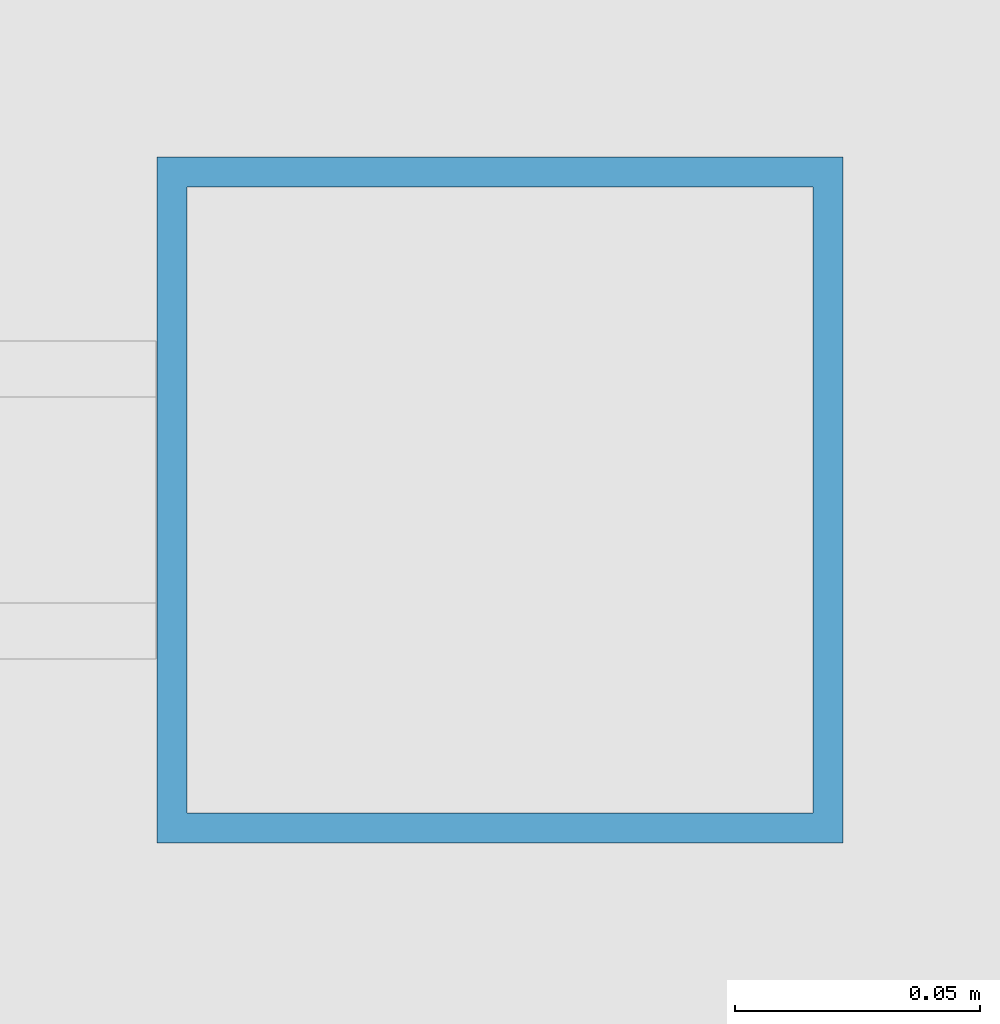
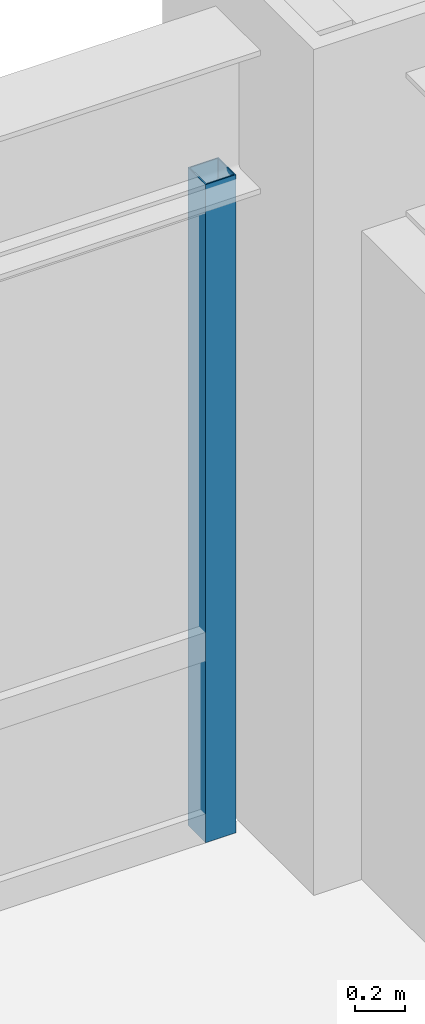
# One storey, part 21 of 27: 1 member, 1 element without a shape of its own.
"""IFC4 building model written with IfcOpenShell, lengths in metres."""

from ifc_helpers import new_model, si_unit, direction, frame, origin, origin_2d, place, context, subcontext, project, spatial, hollow_rectangle, extrude, source, transform, mapped, material, material_profile, profile_set, type_object, element, aggregate, save


model = new_model("IFC4")

# Units and contexts
model_context = context("Model", 3, precision=1e-05, world=origin(), true_north=direction((0.0, 1.0)))
body_context = subcontext(model_context, "Body", "Model", "MODEL_VIEW")
ifc_project = project(units=[si_unit("LENGTHUNIT", "METRE"), si_unit("AREAUNIT", "SQUARE_METRE"), si_unit("VOLUMEUNIT", "CUBIC_METRE"), si_unit("PLANEANGLEUNIT", "RADIAN"), si_unit("MASSUNIT", "GRAM", prefix="KILO")], contexts=[model_context])

# Site, building, storey
site_placement = place(None, origin())
site = spatial("IfcSite", under=ifc_project, at=site_placement, CompositionType="ELEMENT")
building_placement = place(site_placement, origin())
building = spatial("IfcBuilding", under=site, at=building_placement, Name="Khorayat Bourse Tower", CompositionType="ELEMENT")
storey_placement = place(building_placement, frame((0.0, 0.0, 111.89990234375)))
storey = spatial("IfcBuildingStorey", under=building, at=storey_placement, Name="L25", CompositionType="ELEMENT", Elevation=111.89990234375)

# Curtain wall, member
ifc_material = material(Name="Aluminium EN AW-6063 T6", Category="aluminium")
curtain_wall_type = type_object("IfcCurtainWallType", Name="CW-SYS-02", PredefinedType="NOTDEFINED", material=ifc_material)
curtain_wall_placement = place(storey_placement, origin())
curtain_wall = element("IfcCurtainWall", 1, at=curtain_wall_placement, inside=storey, type_object=curtain_wall_type, Name="L25 Curtain Wall CW-L25-N1", PredefinedType="NOTDEFINED")
ifc_material_profile = material_profile(ifc_material, hollow_rectangle(XDim=0.139892578125, YDim=0.139892578125, WallThickness=0.006103515625, at=origin_2d()), Name="ALU 140x140x6")
ifc_profile_set = profile_set([ifc_material_profile], Name="Aluminium EN AW-6063 T6")
member_type = type_object("IfcMemberType", Name="CWM-VERT-140", PredefinedType="MULLION", material=ifc_profile_set)
shared_shape = source(origin(), body_context, "Body", "SweptSolid", [
    extrude(hollow_rectangle(XDim=0.139892578125, YDim=0.139892578125, WallThickness=0.006103515625, at=origin_2d()), origin(), (0.0, 0.0, 1.0), 3.190185546875),
])
member_placement = place(storey_placement, frame((27.280029296875, 32.0, 0.0), z_axis=(0.0, 0.0, 1.0), x_axis=(0.0, 1.0, 0.0)))
member = element("IfcMember", 2, at=member_placement, type_object=member_type, Name="CW-L25-N1 Vertical Mullion 3", PredefinedType="MULLION", context=body_context, shape_type="MappedRepresentation", body=[
    mapped(shared_shape, transform((0.0, 0.0, 0.0), scale=1.0)),
])
aggregate(curtain_wall, [member])

save(model, "model.ifc")
